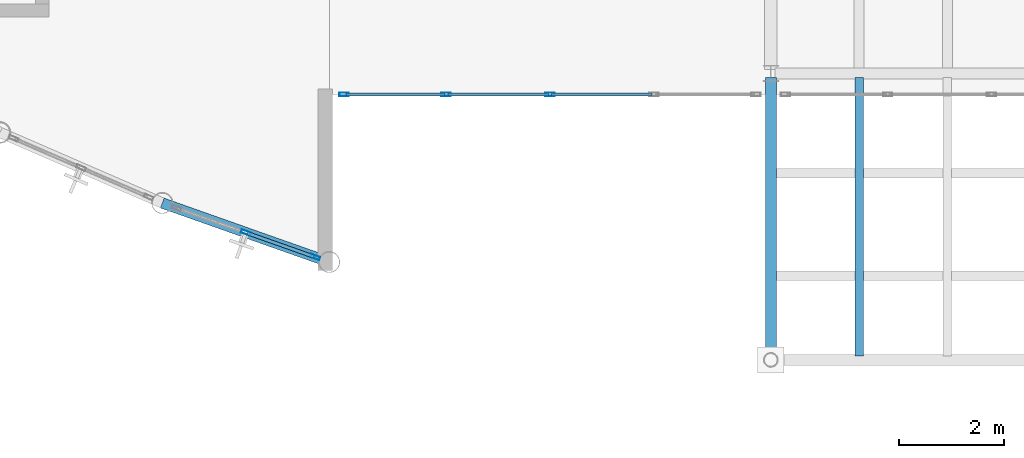
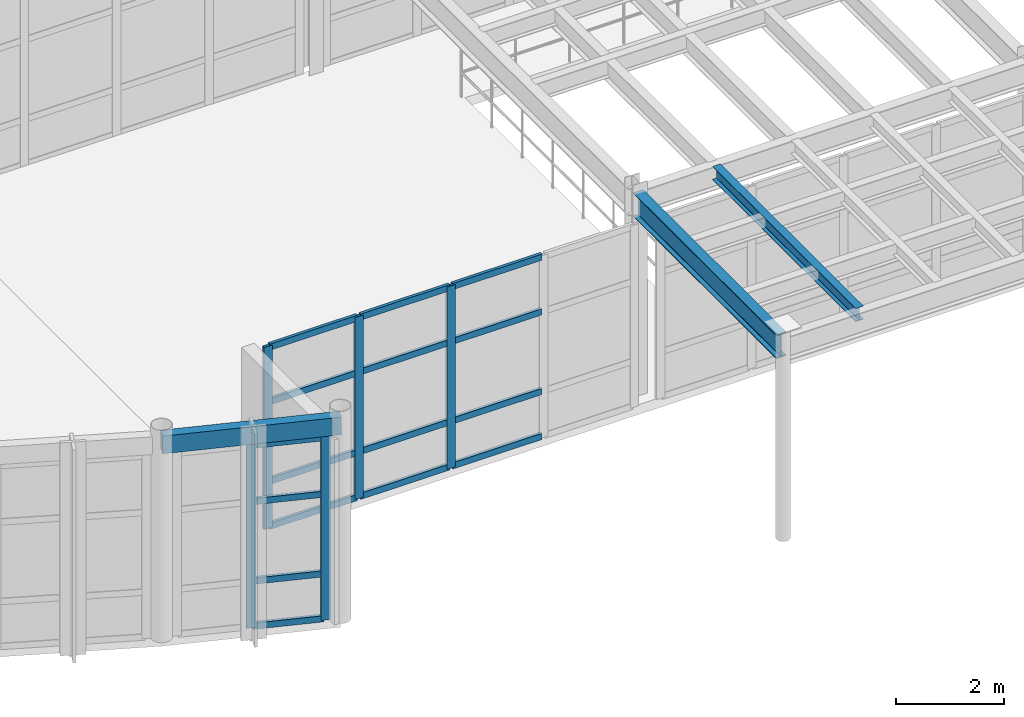
# One storey, part 23 of 105: 21 members, 3 beams, 2 elements without a shape of their own.
"""IFC4 building model written with IfcOpenShell, lengths in metres."""

from ifc_helpers import new_model, si_unit, direction, frame, origin, origin_2d, place, context, subcontext, project, spatial, hollow_rectangle, i_section, extrude, material, layer, layer_set, material_profile, profile_set, type_object, element, aggregate, save


model = new_model("IFC4")

# Units and contexts
model_context = context("Model", 3, precision=1e-05, world=origin(), true_north=direction((0.0, 1.0)))
body_context = subcontext(model_context, "Body", "Model", "MODEL_VIEW")
ifc_project = project(units=[si_unit("LENGTHUNIT", "METRE"), si_unit("AREAUNIT", "SQUARE_METRE"), si_unit("VOLUMEUNIT", "CUBIC_METRE"), si_unit("PLANEANGLEUNIT", "RADIAN"), si_unit("MASSUNIT", "GRAM", prefix="KILO")], contexts=[model_context])

# Site, building, storey
site_placement = place(None, origin())
site = spatial("IfcSite", under=ifc_project, at=site_placement, CompositionType="ELEMENT")
building_placement = place(site_placement, origin())
building = spatial("IfcBuilding", under=site, at=building_placement, Name="Selat Folded Stagehouse", CompositionType="ELEMENT")
storey_placement = place(building_placement, frame((0.0, 0.0, 10.199951171875)))
storey = spatial("IfcBuildingStorey", under=building, at=storey_placement, Name="L02", CompositionType="ELEMENT", Elevation=10.199951171875)

# Beam
ifc_material_1 = material(Name="Steel S355", Category="steel")
ifc_material_profile_1 = material_profile(ifc_material_1, i_section(OverallWidth=0.210693359375, OverallDepth=0.53955078125, WebThickness=0.01171875, FlangeThickness=0.018798828125, FilletRadius=0.0126953125, at=origin_2d()), Name="UKB 533x210x109")
ifc_profile_set_1 = profile_set([ifc_material_profile_1], Name="Steel S355")
beam_type_1 = type_object("IfcBeamType", Name="BM-GIRD-533x210x109", PredefinedType="BEAM", material=ifc_profile_set_1)
beam_1_placement = place(storey_placement, frame((42.0, 0.418212890625, 4.305419921875), z_axis=(0.0, 1.0, 0.0), x_axis=(-1.0, 0.0, 0.0)))
element("IfcBeam", 1, at=beam_1_placement, inside=storey, type_object=beam_type_1, Name="L02 primary y-girder 1046", PredefinedType="BEAM", context=body_context, shape_type="SweptSolid", body=[
    extrude(i_section(OverallWidth=0.210693359375, OverallDepth=0.53955078125, WebThickness=0.01171875, FlangeThickness=0.018798828125, FilletRadius=0.0126953125, at=origin_2d()), origin(), (0.0, 0.0, 1.0), 5.3046875),
])

# Curtain wall, members
ifc_material_2 = material(Name="Aluminium 6063-T6", Category="aluminium")
ifc_layer_1 = layer(ifc_material_2, 0.199951171875)
ifc_layer_set_1 = layer_set([ifc_layer_1], Name="Aluminium 6063-T6")
curtain_wall_type_1 = type_object("IfcCurtainWallType", Name="CW-DRM-MID", PredefinedType="NOTDEFINED", material=ifc_layer_set_1)
curtain_wall_1_placement = place(storey_placement, origin())
curtain_wall_1 = element("IfcCurtainWall", 2, at=curtain_wall_1_placement, inside=storey, type_object=curtain_wall_type_1, Name="L02 curtain wall CW-DRM-L02-19", PredefinedType="NOTDEFINED")
ifc_material_profile_2 = material_profile(ifc_material_2, hollow_rectangle(XDim=0.06494140625, YDim=0.179931640625, WallThickness=0.00390625, at=origin_2d()), Name="ALU 180x65x4.0")
ifc_profile_set_2 = profile_set([ifc_material_profile_2], Name="Aluminium 6063-T6")
member_type_1 = type_object("IfcMemberType", Name="CWM-MUL-180x65", PredefinedType="MULLION", material=ifc_profile_set_2)
member_1_placement = place(storey_placement, frame((33.333740234375, 2.304931640625, 0.0), z_axis=(0.0, 0.0, 1.0), x_axis=(-0.333314148838, -0.942815824106, 0.0)))
member_1 = element("IfcMember", 3, at=member_1_placement, type_object=member_type_1, Name="CW-02 mullion 1", PredefinedType="MULLION", context=body_context, shape_type="SweptSolid", body=[
    extrude(hollow_rectangle(XDim=0.06494140625, YDim=0.179931640625, WallThickness=0.00390625, at=origin_2d()), origin(), (0.0, 0.0, 1.0), 4.16015625),
])
member_2_placement = place(storey_placement, frame((32.01171875, 2.7724609375, 0.0), z_axis=(0.0, 0.0, 1.0), x_axis=(-0.333314148838, -0.942815824106, 0.0)))
member_2 = element("IfcMember", 4, at=member_2_placement, type_object=member_type_1, Name="CW-02 mullion 2", PredefinedType="MULLION", context=body_context, shape_type="SweptSolid", body=[
    extrude(hollow_rectangle(XDim=0.06494140625, YDim=0.179931640625, WallThickness=0.00390625, at=origin_2d()), origin(), (0.0, 0.0, 1.0), 4.16015625),
])

ifc_layer_2 = layer(ifc_material_2, 0.2099609375)
ifc_layer_set_2 = layer_set([ifc_layer_2], Name="Aluminium 6063-T6")
curtain_wall_type_2 = type_object("IfcCurtainWallType", Name="CW-FYR-SOUTH", PredefinedType="NOTDEFINED", material=ifc_layer_set_2)
curtain_wall_2_placement = place(storey_placement, origin())
curtain_wall_2 = element("IfcCurtainWall", 5, at=curtain_wall_2_placement, inside=storey, type_object=curtain_wall_type_2, Name="L02 curtain wall CW-FYR-L02-00", PredefinedType="NOTDEFINED")
member_3_placement = place(storey_placement, frame((37.800048828125, 5.39990234375, 0.0), z_axis=(0.0, 0.0, 1.0), x_axis=(0.0, -1.0, 0.0)))
member_3 = element("IfcMember", 6, at=member_3_placement, type_object=member_type_1, Name="CW-04 mullion 3", PredefinedType="MULLION", context=body_context, shape_type="SweptSolid", body=[
    extrude(hollow_rectangle(XDim=0.06494140625, YDim=0.179931640625, WallThickness=0.00390625, at=origin_2d()), origin(), (0.0, 0.0, 1.0), 4.1201171875),
])
member_4_placement = place(storey_placement, frame((35.824951171875, 5.39990234375, 0.0), z_axis=(0.0, 0.0, 1.0), x_axis=(0.0, -1.0, 0.0)))
member_4 = element("IfcMember", 7, at=member_4_placement, type_object=member_type_1, Name="CW-04 mullion 4", PredefinedType="MULLION", context=body_context, shape_type="SweptSolid", body=[
    extrude(hollow_rectangle(XDim=0.06494140625, YDim=0.179931640625, WallThickness=0.00390625, at=origin_2d()), origin(), (0.0, 0.0, 1.0), 4.1201171875),
])
member_5_placement = place(storey_placement, frame((33.882568359375, 5.39990234375, 0.0), z_axis=(0.0, 0.0, 1.0), x_axis=(0.0, -1.0, 0.0)))
member_5 = element("IfcMember", 8, at=member_5_placement, type_object=member_type_1, Name="CW-04 mullion 5", PredefinedType="MULLION", context=body_context, shape_type="SweptSolid", body=[
    extrude(hollow_rectangle(XDim=0.06494140625, YDim=0.179931640625, WallThickness=0.00390625, at=origin_2d()), origin(), (0.0, 0.0, 1.0), 4.1201171875),
])

# Member
ifc_material_profile_3 = material_profile(ifc_material_2, hollow_rectangle(XDim=0.06494140625, YDim=0.139892578125, WallThickness=0.00390625, at=origin_2d()), Name="ALU 140x65x4.0")
ifc_profile_set_3 = profile_set([ifc_material_profile_3], Name="Aluminium 6063-T6")
member_type_2 = type_object("IfcMemberType", Name="CWM-TRN-140x65", PredefinedType="USERDEFINED", material=ifc_profile_set_3)
member_6_placement = place(storey_placement, frame((33.302978515625, 2.31591796875, 0.032470703125), z_axis=(-0.942831774674, 0.333269027461, 0.0), x_axis=(-0.333269027461, -0.942831774674, 0.0)))
member_6 = element("IfcMember", 9, at=member_6_placement, type_object=member_type_2, Name="CW-02 transom 1.1", ObjectType="TRANSOM", PredefinedType="USERDEFINED", context=body_context, shape_type="SweptSolid", body=[
    extrude(hollow_rectangle(XDim=0.06494140625, YDim=0.139892578125, WallThickness=0.00390625, at=origin_2d()), origin(), (0.0, 0.0, 1.0), 1.3369140625),
])

member_7_placement = place(storey_placement, frame((33.302978515625, 2.31591796875, 1.050048828125), z_axis=(-0.942831774674, 0.333269027461, 0.0), x_axis=(-0.333269027461, -0.942831774674, 0.0)))
member_7 = element("IfcMember", 10, at=member_7_placement, type_object=member_type_2, Name="CW-02 transom 1.2", ObjectType="TRANSOM", PredefinedType="USERDEFINED", context=body_context, shape_type="SweptSolid", body=[
    extrude(hollow_rectangle(XDim=0.06494140625, YDim=0.139892578125, WallThickness=0.00390625, at=origin_2d()), origin(), (0.0, 0.0, 1.0), 1.3369140625),
])

member_8_placement = place(storey_placement, frame((33.302978515625, 2.31591796875, 2.85009765625), z_axis=(-0.942831774674, 0.333269027461, 0.0), x_axis=(-0.333269027461, -0.942831774674, 0.0)))
member_8 = element("IfcMember", 11, at=member_8_placement, type_object=member_type_2, Name="CW-02 transom 1.3", ObjectType="TRANSOM", PredefinedType="USERDEFINED", context=body_context, shape_type="SweptSolid", body=[
    extrude(hollow_rectangle(XDim=0.06494140625, YDim=0.139892578125, WallThickness=0.00390625, at=origin_2d()), origin(), (0.0, 0.0, 1.0), 1.3369140625),
])

member_9_placement = place(storey_placement, frame((33.302978515625, 2.31591796875, 4.12744140625), z_axis=(-0.942831774674, 0.333269027461, 0.0), x_axis=(-0.333269027461, -0.942831774674, 0.0)))
member_9 = element("IfcMember", 12, at=member_9_placement, type_object=member_type_2, Name="CW-02 transom 1.4", ObjectType="TRANSOM", PredefinedType="USERDEFINED", context=body_context, shape_type="SweptSolid", body=[
    extrude(hollow_rectangle(XDim=0.06494140625, YDim=0.139892578125, WallThickness=0.00390625, at=origin_2d()), origin(), (0.0, 0.0, 1.0), 1.3369140625),
])

aggregate(curtain_wall_1, [member_1, member_2, member_6, member_7, member_8, member_9])

member_10_placement = place(storey_placement, frame((39.742431640625, 5.39990234375, 0.032470703125), z_axis=(-1.0, 0.0, 0.0), x_axis=(0.0, -1.0, 0.0)))
member_10 = element("IfcMember", 13, at=member_10_placement, type_object=member_type_2, Name="CW-04 transom 2.1", ObjectType="TRANSOM", PredefinedType="USERDEFINED", context=body_context, shape_type="SweptSolid", body=[
    extrude(hollow_rectangle(XDim=0.06494140625, YDim=0.139892578125, WallThickness=0.00390625, at=origin_2d()), origin(), (0.0, 0.0, 1.0), 1.909912109375),
])

member_11_placement = place(storey_placement, frame((39.742431640625, 5.39990234375, 1.050048828125), z_axis=(-1.0, 0.0, 0.0), x_axis=(0.0, -1.0, 0.0)))
member_11 = element("IfcMember", 14, at=member_11_placement, type_object=member_type_2, Name="CW-04 transom 2.2", ObjectType="TRANSOM", PredefinedType="USERDEFINED", context=body_context, shape_type="SweptSolid", body=[
    extrude(hollow_rectangle(XDim=0.06494140625, YDim=0.139892578125, WallThickness=0.00390625, at=origin_2d()), origin(), (0.0, 0.0, 1.0), 1.909912109375),
])

member_12_placement = place(storey_placement, frame((39.742431640625, 5.39990234375, 2.85009765625), z_axis=(-1.0, 0.0, 0.0), x_axis=(0.0, -1.0, 0.0)))
member_12 = element("IfcMember", 15, at=member_12_placement, type_object=member_type_2, Name="CW-04 transom 2.3", ObjectType="TRANSOM", PredefinedType="USERDEFINED", context=body_context, shape_type="SweptSolid", body=[
    extrude(hollow_rectangle(XDim=0.06494140625, YDim=0.139892578125, WallThickness=0.00390625, at=origin_2d()), origin(), (0.0, 0.0, 1.0), 1.909912109375),
])

member_13_placement = place(storey_placement, frame((39.742431640625, 5.39990234375, 4.087646484375), z_axis=(-1.0, 0.0, 0.0), x_axis=(0.0, -1.0, 0.0)))
member_13 = element("IfcMember", 16, at=member_13_placement, type_object=member_type_2, Name="CW-04 transom 2.4", ObjectType="TRANSOM", PredefinedType="USERDEFINED", context=body_context, shape_type="SweptSolid", body=[
    extrude(hollow_rectangle(XDim=0.06494140625, YDim=0.139892578125, WallThickness=0.00390625, at=origin_2d()), origin(), (0.0, 0.0, 1.0), 1.909912109375),
])

member_14_placement = place(storey_placement, frame((37.767578125, 5.39990234375, 0.032470703125), z_axis=(-1.0, 0.0, 0.0), x_axis=(0.0, -1.0, 0.0)))
member_14 = element("IfcMember", 17, at=member_14_placement, type_object=member_type_2, Name="CW-04 transom 3.1", ObjectType="TRANSOM", PredefinedType="USERDEFINED", context=body_context, shape_type="SweptSolid", body=[
    extrude(hollow_rectangle(XDim=0.06494140625, YDim=0.139892578125, WallThickness=0.00390625, at=origin_2d()), origin(), (0.0, 0.0, 1.0), 1.91015625),
])

member_15_placement = place(storey_placement, frame((37.767578125, 5.39990234375, 1.050048828125), z_axis=(-1.0, 0.0, 0.0), x_axis=(0.0, -1.0, 0.0)))
member_15 = element("IfcMember", 18, at=member_15_placement, type_object=member_type_2, Name="CW-04 transom 3.2", ObjectType="TRANSOM", PredefinedType="USERDEFINED", context=body_context, shape_type="SweptSolid", body=[
    extrude(hollow_rectangle(XDim=0.06494140625, YDim=0.139892578125, WallThickness=0.00390625, at=origin_2d()), origin(), (0.0, 0.0, 1.0), 1.91015625),
])

member_16_placement = place(storey_placement, frame((37.767578125, 5.39990234375, 2.85009765625), z_axis=(-1.0, 0.0, 0.0), x_axis=(0.0, -1.0, 0.0)))
member_16 = element("IfcMember", 19, at=member_16_placement, type_object=member_type_2, Name="CW-04 transom 3.3", ObjectType="TRANSOM", PredefinedType="USERDEFINED", context=body_context, shape_type="SweptSolid", body=[
    extrude(hollow_rectangle(XDim=0.06494140625, YDim=0.139892578125, WallThickness=0.00390625, at=origin_2d()), origin(), (0.0, 0.0, 1.0), 1.91015625),
])

member_17_placement = place(storey_placement, frame((37.767578125, 5.39990234375, 4.087646484375), z_axis=(-1.0, 0.0, 0.0), x_axis=(0.0, -1.0, 0.0)))
member_17 = element("IfcMember", 20, at=member_17_placement, type_object=member_type_2, Name="CW-04 transom 3.4", ObjectType="TRANSOM", PredefinedType="USERDEFINED", context=body_context, shape_type="SweptSolid", body=[
    extrude(hollow_rectangle(XDim=0.06494140625, YDim=0.139892578125, WallThickness=0.00390625, at=origin_2d()), origin(), (0.0, 0.0, 1.0), 1.91015625),
])

member_18_placement = place(storey_placement, frame((35.79248046875, 5.39990234375, 0.032470703125), z_axis=(-1.0, 0.0, 0.0), x_axis=(0.0, -1.0, 0.0)))
member_18 = element("IfcMember", 21, at=member_18_placement, type_object=member_type_2, Name="CW-04 transom 4.1", ObjectType="TRANSOM", PredefinedType="USERDEFINED", context=body_context, shape_type="SweptSolid", body=[
    extrude(hollow_rectangle(XDim=0.06494140625, YDim=0.139892578125, WallThickness=0.00390625, at=origin_2d()), origin(), (0.0, 0.0, 1.0), 1.87744140625),
])

member_19_placement = place(storey_placement, frame((35.79248046875, 5.39990234375, 1.050048828125), z_axis=(-1.0, 0.0, 0.0), x_axis=(0.0, -1.0, 0.0)))
member_19 = element("IfcMember", 22, at=member_19_placement, type_object=member_type_2, Name="CW-04 transom 4.2", ObjectType="TRANSOM", PredefinedType="USERDEFINED", context=body_context, shape_type="SweptSolid", body=[
    extrude(hollow_rectangle(XDim=0.06494140625, YDim=0.139892578125, WallThickness=0.00390625, at=origin_2d()), origin(), (0.0, 0.0, 1.0), 1.87744140625),
])

member_20_placement = place(storey_placement, frame((35.79248046875, 5.39990234375, 2.85009765625), z_axis=(-1.0, 0.0, 0.0), x_axis=(0.0, -1.0, 0.0)))
member_20 = element("IfcMember", 23, at=member_20_placement, type_object=member_type_2, Name="CW-04 transom 4.3", ObjectType="TRANSOM", PredefinedType="USERDEFINED", context=body_context, shape_type="SweptSolid", body=[
    extrude(hollow_rectangle(XDim=0.06494140625, YDim=0.139892578125, WallThickness=0.00390625, at=origin_2d()), origin(), (0.0, 0.0, 1.0), 1.87744140625),
])

member_21_placement = place(storey_placement, frame((35.79248046875, 5.39990234375, 4.087646484375), z_axis=(-1.0, 0.0, 0.0), x_axis=(0.0, -1.0, 0.0)))
member_21 = element("IfcMember", 24, at=member_21_placement, type_object=member_type_2, Name="CW-04 transom 4.4", ObjectType="TRANSOM", PredefinedType="USERDEFINED", context=body_context, shape_type="SweptSolid", body=[
    extrude(hollow_rectangle(XDim=0.06494140625, YDim=0.139892578125, WallThickness=0.00390625, at=origin_2d()), origin(), (0.0, 0.0, 1.0), 1.87744140625),
])

aggregate(curtain_wall_2, [member_3, member_4, member_5, member_10, member_11, member_12, member_13, member_14, member_15, member_16, member_17, member_18, member_19, member_20, member_21])

# Beams
ifc_material_profile_4 = material_profile(ifc_material_1, i_section(OverallWidth=0.1650390625, OverallDepth=0.303466796875, WebThickness=0.006103515625, FlangeThickness=0.01025390625, FilletRadius=0.0087890625, at=origin_2d()), Name="UKB 305x165x40")
ifc_profile_set_4 = profile_set([ifc_material_profile_4], Name="Steel S355")
beam_type_2 = type_object("IfcBeamType", Name="JST-305x165x40", PredefinedType="JOIST", material=ifc_profile_set_4)
beam_2_placement = place(storey_placement, frame((43.679931640625, 0.42333984375, 4.42333984375), z_axis=(0.0, 1.0, 0.0), x_axis=(-1.0, 0.0, 0.0)))
element("IfcBeam", 25, at=beam_2_placement, inside=storey, type_object=beam_type_2, Name="L02 secondary floor joist 1112", PredefinedType="JOIST", context=body_context, shape_type="SweptSolid", body=[
    extrude(i_section(OverallWidth=0.1650390625, OverallDepth=0.303466796875, WebThickness=0.006103515625, FlangeThickness=0.01025390625, FilletRadius=0.0087890625, at=origin_2d()), origin(), (0.0, 0.0, 1.0), 5.303466796875),
])
ifc_material_profile_5 = material_profile(ifc_material_1, hollow_rectangle(XDim=0.199951171875, YDim=0.39990234375, WallThickness=0.012451171875, at=origin_2d()), Name="RHS 400x200x12.5")
ifc_profile_set_5 = profile_set([ifc_material_profile_5], Name="Steel S355")
beam_type_3 = type_object("IfcBeamType", Name="SPD-EXT-400x200", PredefinedType="SPANDREL", material=ifc_profile_set_5)
beam_3_placement = place(storey_placement, frame((30.423583984375, 3.333740234375, 4.400146484375), z_axis=(0.942833706296, -0.333263562774, 0.0), x_axis=(0.333263562774, 0.942833706296, 0.0)))
element("IfcBeam", 26, at=beam_3_placement, inside=storey, type_object=beam_type_3, Name="L02 curved drum spandrel beam 20", PredefinedType="SPANDREL", context=body_context, shape_type="SweptSolid", body=[
    extrude(hollow_rectangle(XDim=0.199951171875, YDim=0.39990234375, WallThickness=0.012451171875, at=origin_2d()), origin(), (0.0, 0.0, 1.0), 3.369140625),
])

save(model, "model.ifc")
